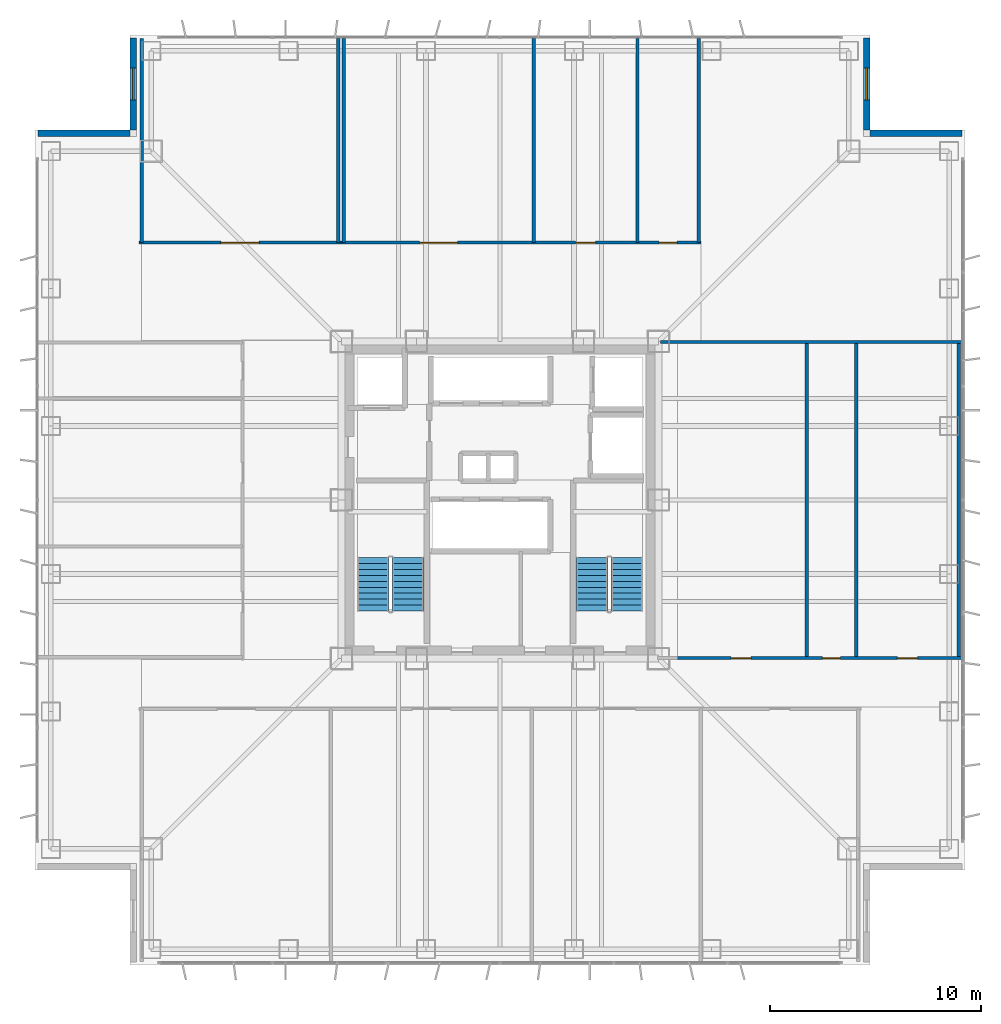
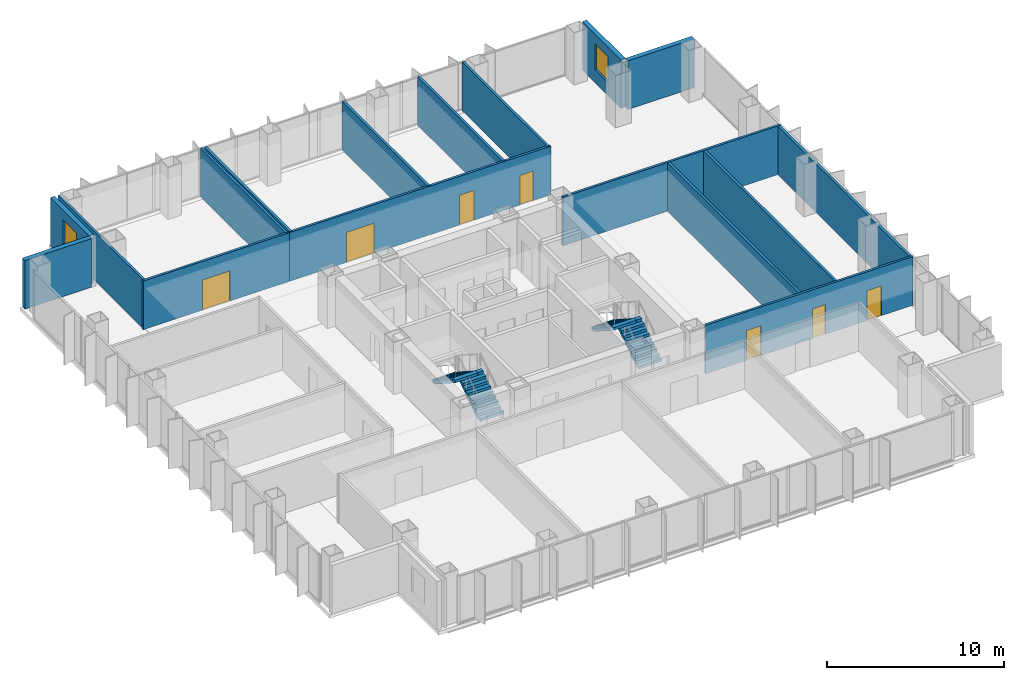
# One storey, part 11 of 14: 17 walls, 7 doors, 4 stair flights, 2 windows, 9 openings, 2 elements without a shape of their own.
"""IFC4 building model written with IfcOpenShell, lengths in metres."""

from ifc_helpers import new_model, si_unit, direction, frame, frame_2d, origin, place, context, subcontext, project, spatial, polyline, rectangle, outline, extrude, material, layer, layer_set, type_object, element, fill, aggregate, save


model = new_model("IFC4")

# Units and contexts
model_context = context("Model", 3, precision=1e-05, world=origin(), true_north=direction((0.0, 1.0)))
body_context = subcontext(model_context, "Body", "Model", "MODEL_VIEW")
ifc_project = project(units=[si_unit("LENGTHUNIT", "METRE"), si_unit("AREAUNIT", "SQUARE_METRE"), si_unit("VOLUMEUNIT", "CUBIC_METRE"), si_unit("PLANEANGLEUNIT", "RADIAN"), si_unit("MASSUNIT", "GRAM", prefix="KILO")], contexts=[model_context])

# Site, building, storey
site_placement = place(None, origin())
site = spatial("IfcSite", under=ifc_project, at=site_placement, CompositionType="ELEMENT")
building_placement = place(site_placement, origin())
building = spatial("IfcBuilding", under=site, at=building_placement, Name="Trevonay Congress Spire", CompositionType="ELEMENT")
storey_placement = place(building_placement, frame((0.0, 0.0, 137.199951171875)))
storey = spatial("IfcBuildingStorey", under=building, at=storey_placement, Name="L35", CompositionType="ELEMENT", Elevation=137.199951171875)

# Wall, opening, door
ifc_material_1 = material(Name="Concrete C40/50", Category="concrete")
ifc_layer_1 = layer(ifc_material_1, 0.14990234375, Name="Concrete C40/50")
ifc_layer_set_1 = layer_set([ifc_layer_1], Name="Concrete C40/50")
wall_type_1 = type_object("IfcWallType", Name="WAL-CORR-150", PredefinedType="PARTITIONING", material=ifc_layer_set_1)
wall_1_placement = place(storey_placement, frame((-17.070068359375, 12.179931640625, 0.0), z_axis=(0.0, 0.0, 1.0), x_axis=(1.0, 0.0, 0.0)))
wall_1 = element("IfcWall", 1, at=wall_1_placement, inside=storey, type_object=wall_type_1, Name="L35 interior wall WP-L35NW-COR", PredefinedType="PARTITIONING", context=body_context, shape_type="SweptSolid", body=[
    extrude(rectangle(XDim=9.5400390625, YDim=0.14990234375, at=frame_2d((4.77001953125, 0.0))), origin(), (0.0, 0.0, 1.0), 3.360107421875),
])
opening_1_placement = place(wall_1_placement, frame((3.8701171875, 0.0, 0.0)))
opening_1 = element("IfcOpeningElement", 2, at=opening_1_placement, cuts=wall_1, Name="Opening D09", PredefinedType="OPENING", context=body_context, shape_type="SweptSolid", body=[
    extrude(rectangle(XDim=1.800048828125, YDim=2.080078125, at=frame_2d((0.89990234375, 1.0400390625))), frame((0.0, 0.0849609375, 0.0), z_axis=(0.0, -1.0, 0.0), x_axis=(1.0, 0.0, 0.0)), (0.0, 0.0, 1.0), 0.169921875),
])
ifc_material_2 = material(Name="Pale Anodised Aluminium EN AW-6063-T6", Category="aluminium")
door_type_1 = type_object("IfcDoorType", Name="DOR-CONF-DBL", OperationType="DOUBLE_DOOR_SINGLE_SWING", PredefinedType="DOOR", material=ifc_material_2)
door_1_placement = place(opening_1_placement, origin())
door_1 = element("IfcDoor", 3, at=door_1_placement, inside=storey, type_object=door_type_1, Name="L35 Digital Media Study Lounge Door", OperationType="DOUBLE_DOOR_SINGLE_SWING", OverallHeight=2.080078125, OverallWidth=1.800048828125, PredefinedType="DOOR", context=body_context, shape_type="SweptSolid", body=[
    extrude(rectangle(XDim=1.800048828125, YDim=2.080078125, at=frame_2d((0.89990234375, 1.0400390625))), frame((0.0, 0.02490234375, 0.0), z_axis=(0.0, -1.0, 0.0), x_axis=(1.0, 0.0, 0.0)), (0.0, 0.0, 1.0), 0.050048828125),
])
fill(opening_1, door_1)

# Wall, openings, doors
wall_2_placement = place(storey_placement, frame((-7.52001953125, 12.179931640625, 0.0), z_axis=(0.0, 0.0, 1.0), x_axis=(1.0, 0.0, 0.0)))
wall_2 = element("IfcWall", 4, at=wall_2_placement, inside=storey, type_object=wall_type_1, Name="L35 interior wall WP-L35NE-COR", PredefinedType="PARTITIONING", context=body_context, shape_type="SweptSolid", body=[
    extrude(rectangle(XDim=17.0400390625, YDim=0.14990234375, at=frame_2d((8.52001953125, 0.0))), origin(), (0.0, 0.0, 1.0), 3.360107421875),
])
opening_2_placement = place(wall_2_placement, frame((3.719970703125, 0.0, 0.0)))
opening_2 = element("IfcOpeningElement", 5, at=opening_2_placement, cuts=wall_2, Name="Opening D09", PredefinedType="OPENING", context=body_context, shape_type="SweptSolid", body=[
    extrude(rectangle(XDim=1.800048828125, YDim=2.080078125, at=frame_2d((0.89990234375, 1.0400390625))), frame((0.0, 0.0849609375, 0.0), z_axis=(0.0, -1.0, 0.0), x_axis=(1.0, 0.0, 0.0)), (0.0, 0.0, 1.0), 0.169921875),
])
opening_3_placement = place(wall_2_placement, frame((11.094970703125, 0.0, 0.0)))
opening_3 = element("IfcOpeningElement", 6, at=opening_3_placement, cuts=wall_2, Name="Opening D07", PredefinedType="OPENING", context=body_context, shape_type="SweptSolid", body=[
    extrude(rectangle(XDim=0.949951171875, YDim=2.06005859375, at=frame_2d((0.47509765625, 1.030029296875))), frame((0.0, 0.0849609375, 0.0), z_axis=(0.0, -1.0, 0.0), x_axis=(1.0, 0.0, 0.0)), (0.0, 0.0, 1.0), 0.169921875),
])
opening_4_placement = place(wall_2_placement, frame((15.044921875, 0.0, 0.0)))
opening_4 = element("IfcOpeningElement", 7, at=opening_4_placement, cuts=wall_2, Name="Opening D10", PredefinedType="OPENING", context=body_context, shape_type="SweptSolid", body=[
    extrude(rectangle(XDim=0.85009765625, YDim=2.050048828125, at=frame_2d((0.425048828125, 1.02490234375))), frame((0.0, 0.0849609375, 0.0), z_axis=(0.0, -1.0, 0.0), x_axis=(1.0, 0.0, 0.0)), (0.0, 0.0, 1.0), 0.169921875),
])
door_2_placement = place(opening_2_placement, origin())
door_2 = element("IfcDoor", 8, at=door_2_placement, inside=storey, type_object=door_type_1, Name="L35 Archive Reading Salon Door", OperationType="DOUBLE_DOOR_SINGLE_SWING", OverallHeight=2.080078125, OverallWidth=1.800048828125, PredefinedType="DOOR", context=body_context, shape_type="SweptSolid", body=[
    extrude(rectangle(XDim=1.800048828125, YDim=2.080078125, at=frame_2d((0.89990234375, 1.0400390625))), frame((0.0, 0.02490234375, 0.0), z_axis=(0.0, -1.0, 0.0), x_axis=(1.0, 0.0, 0.0)), (0.0, 0.0, 1.0), 0.050048828125),
])
fill(opening_2, door_2)
door_type_2 = type_object("IfcDoorType", Name="DOR-OFFICE-95", OperationType="NOTDEFINED", PredefinedType="DOOR", material=ifc_material_2)
door_3_placement = place(opening_3_placement, origin())
door_3 = element("IfcDoor", 9, at=door_3_placement, inside=storey, type_object=door_type_2, Name="L35 Academic Pantry Door", OperationType="SINGLE_SWING_RIGHT", OverallHeight=2.06005859375, OverallWidth=0.949951171875, PredefinedType="DOOR", context=body_context, shape_type="SweptSolid", body=[
    extrude(rectangle(XDim=0.949951171875, YDim=2.06005859375, at=frame_2d((0.47509765625, 1.030029296875))), frame((0.0, 0.02490234375, 0.0), z_axis=(0.0, -1.0, 0.0), x_axis=(1.0, 0.0, 0.0)), (0.0, 0.0, 1.0), 0.050048828125),
])
fill(opening_3, door_3)
door_type_3 = type_object("IfcDoorType", Name="DOR-WC-85", OperationType="NOTDEFINED", PredefinedType="DOOR", material=ifc_material_2)
door_4_placement = place(opening_4_placement, origin())
door_4 = element("IfcDoor", 10, at=door_4_placement, inside=storey, type_object=door_type_3, Name="L35 Female Restroom WC Door", OperationType="SINGLE_SWING_LEFT", OverallHeight=2.050048828125, OverallWidth=0.85009765625, PredefinedType="DOOR", context=body_context, shape_type="SweptSolid", body=[
    extrude(rectangle(XDim=0.85009765625, YDim=2.050048828125, at=frame_2d((0.425048828125, 1.02490234375))), frame((0.0, 0.02490234375, 0.0), z_axis=(0.0, -1.0, 0.0), x_axis=(1.0, 0.0, 0.0)), (0.0, 0.0, 1.0), 0.050048828125),
])
fill(opening_4, door_4)

wall_3_placement = place(storey_placement, frame((8.280029296875, -7.47998046875, 0.0), z_axis=(0.0, 0.0, 1.0), x_axis=(1.0, 0.0, 0.0)))
wall_3 = element("IfcWall", 11, at=wall_3_placement, inside=storey, type_object=wall_type_1, Name="L35 interior wall WP-L35E-COR", PredefinedType="PARTITIONING", context=body_context, shape_type="SweptSolid", body=[
    extrude(rectangle(XDim=13.5400390625, YDim=0.14990234375, at=frame_2d((6.77001953125, 0.0))), origin(), (0.0, 0.0, 1.0), 3.360107421875),
])
opening_5_placement = place(wall_3_placement, frame((2.655029296875, 0.0, 0.0)))
opening_5 = element("IfcOpeningElement", 12, at=opening_5_placement, cuts=wall_3, Name="Opening D07", PredefinedType="OPENING", context=body_context, shape_type="SweptSolid", body=[
    extrude(rectangle(XDim=0.949951171875, YDim=2.06005859375, at=frame_2d((0.47509765625, 1.030029296875))), frame((0.0, 0.0849609375, 0.0), z_axis=(0.0, -1.0, 0.0), x_axis=(1.0, 0.0, 0.0)), (0.0, 0.0, 1.0), 0.169921875),
])
opening_6_placement = place(wall_3_placement, frame((6.969970703125, 0.0, 0.0)))
opening_6 = element("IfcOpeningElement", 13, at=opening_6_placement, cuts=wall_3, Name="Opening D10", PredefinedType="OPENING", context=body_context, shape_type="SweptSolid", body=[
    extrude(rectangle(XDim=0.85009765625, YDim=2.050048828125, at=frame_2d((0.425048828125, 1.02490234375))), frame((0.0, 0.0849609375, 0.0), z_axis=(0.0, -1.0, 0.0), x_axis=(1.0, 0.0, 0.0)), (0.0, 0.0, 1.0), 0.169921875),
])
opening_7_placement = place(wall_3_placement, frame((10.52001953125, 0.0, 0.0)))
opening_7 = element("IfcOpeningElement", 14, at=opening_7_placement, cuts=wall_3, Name="Opening D07", PredefinedType="OPENING", context=body_context, shape_type="SweptSolid", body=[
    extrude(rectangle(XDim=0.949951171875, YDim=2.06005859375, at=frame_2d((0.47509765625, 1.030029296875))), frame((0.0, 0.0849609375, 0.0), z_axis=(0.0, -1.0, 0.0), x_axis=(1.0, 0.0, 0.0)), (0.0, 0.0, 1.0), 0.169921875),
])
door_5_placement = place(opening_5_placement, origin())
door_5 = element("IfcDoor", 15, at=door_5_placement, inside=storey, type_object=door_type_2, Name="L35 Curriculum Office East Door", OperationType="SINGLE_SWING_RIGHT", OverallHeight=2.06005859375, OverallWidth=0.949951171875, PredefinedType="DOOR", context=body_context, shape_type="SweptSolid", body=[
    extrude(rectangle(XDim=0.949951171875, YDim=2.06005859375, at=frame_2d((0.47509765625, 1.030029296875))), frame((0.0, 0.02490234375, 0.0), z_axis=(0.0, -1.0, 0.0), x_axis=(1.0, 0.0, 0.0)), (0.0, 0.0, 1.0), 0.050048828125),
])
fill(opening_5, door_5)
door_6_placement = place(opening_7_placement, origin())
door_6 = element("IfcDoor", 16, at=door_6_placement, inside=storey, type_object=door_type_2, Name="L35 Floor Supplies and Copy Room Door", OperationType="SINGLE_SWING_RIGHT", OverallHeight=2.06005859375, OverallWidth=0.949951171875, PredefinedType="DOOR", context=body_context, shape_type="SweptSolid", body=[
    extrude(rectangle(XDim=0.949951171875, YDim=2.06005859375, at=frame_2d((0.47509765625, 1.030029296875))), frame((0.0, 0.02490234375, 0.0), z_axis=(0.0, -1.0, 0.0), x_axis=(1.0, 0.0, 0.0)), (0.0, 0.0, 1.0), 0.050048828125),
])
fill(opening_7, door_6)
door_7_placement = place(opening_6_placement, origin())
door_7 = element("IfcDoor", 17, at=door_7_placement, inside=storey, type_object=door_type_3, Name="L35 Male Restroom WC Door", OperationType="SINGLE_SWING_LEFT", OverallHeight=2.050048828125, OverallWidth=0.85009765625, PredefinedType="DOOR", context=body_context, shape_type="SweptSolid", body=[
    extrude(rectangle(XDim=0.85009765625, YDim=2.050048828125, at=frame_2d((0.425048828125, 1.02490234375))), frame((0.0, 0.02490234375, 0.0), z_axis=(0.0, -1.0, 0.0), x_axis=(1.0, 0.0, 0.0)), (0.0, 0.0, 1.0), 0.050048828125),
])
fill(opening_6, door_7)

# Wall, opening, window
ifc_material_3 = material(Name="Precast concrete C40/50", Category="concrete")
ifc_layer_2 = layer(ifc_material_3, 0.300048828125, Name="Precast concrete C40/50")
ifc_layer_set_2 = layer_set([ifc_layer_2], Name="Precast concrete C40/50")
wall_type_2 = type_object("IfcWallType", Name="WAL-EXT-PRECAST-300", PredefinedType="SOLIDWALL", material=ifc_layer_set_2)
wall_4_placement = place(storey_placement, frame((17.35009765625, 21.85009765625, 0.0), z_axis=(0.0, 0.0, 1.0), x_axis=(0.0, -1.0, 0.0)))
wall_4 = element("IfcWall", 18, at=wall_4_placement, inside=storey, type_object=wall_type_2, Name="L35 NE re-entrant notch exterior wall 1", PredefinedType="SOLIDWALL", context=body_context, shape_type="SweptSolid", body=[
    extrude(rectangle(XDim=4.35009765625, YDim=0.300048828125, at=frame_2d((2.175048828125, 0.0))), origin(), (0.0, 0.0, 1.0), 3.360107421875),
])
opening_8_placement = place(wall_4_placement, frame((1.425048828125, 0.0, 0.89990234375)))
opening_8 = element("IfcOpeningElement", 19, at=opening_8_placement, cuts=wall_4, Name="Opening WN03", PredefinedType="OPENING", context=body_context, shape_type="SweptSolid", body=[
    extrude(rectangle(XDim=1.5, YDim=1.800048828125, at=frame_2d((0.75, 0.89990234375))), frame((0.0, 0.16015625, 0.0), z_axis=(0.0, -1.0, 0.0), x_axis=(1.0, 0.0, 0.0)), (0.0, 0.0, 1.0), 0.320068359375),
])
ifc_material_4 = material(Name="Insulated Low-E Vision Glass IGU", Category="glass")
window_type = type_object("IfcWindowType", Name="WIN-NOTCH-150X180", PartitioningType="SINGLE_PANEL", PredefinedType="WINDOW", material=ifc_material_4)
window_1_placement = place(opening_8_placement, origin())
window_1 = element("IfcWindow", 20, at=window_1_placement, inside=storey, type_object=window_type, Name="L35 NE corner notch window", OverallHeight=1.800048828125, OverallWidth=1.5, PartitioningType="SINGLE_PANEL", PredefinedType="WINDOW", context=body_context, shape_type="SweptSolid", body=[
    extrude(rectangle(XDim=1.5, YDim=1.800048828125, at=frame_2d((0.75, 0.89990234375))), frame((0.0, 0.030029296875, 0.0), z_axis=(0.0, -1.0, 0.0), x_axis=(1.0, 0.0, 0.0)), (0.0, 0.0, 1.0), 0.06005859375),
])
fill(opening_8, window_1)

# Wall
wall_5_placement = place(storey_placement, frame((21.85009765625, 17.35009765625, 0.0), z_axis=(0.0, 0.0, 1.0), x_axis=(-1.0, 0.0, 0.0)))
element("IfcWall", 21, at=wall_5_placement, inside=storey, type_object=wall_type_2, Name="L35 NE re-entrant notch exterior wall 2", PredefinedType="SOLIDWALL", context=body_context, shape_type="SweptSolid", body=[
    extrude(rectangle(XDim=4.35009765625, YDim=0.300048828125, at=frame_2d((2.175048828125, 0.0))), origin(), (0.0, 0.0, 1.0), 3.360107421875),
])

# Wall, opening, window
wall_6_placement = place(storey_placement, frame((-17.35009765625, 21.85009765625, 0.0), z_axis=(0.0, 0.0, 1.0), x_axis=(0.0, -1.0, 0.0)))
wall_6 = element("IfcWall", 22, at=wall_6_placement, inside=storey, type_object=wall_type_2, Name="L35 NW re-entrant notch exterior wall 1", PredefinedType="SOLIDWALL", context=body_context, shape_type="SweptSolid", body=[
    extrude(rectangle(XDim=4.35009765625, YDim=0.300048828125, at=frame_2d((2.175048828125, 0.0))), origin(), (0.0, 0.0, 1.0), 3.360107421875),
])
opening_9_placement = place(wall_6_placement, frame((1.425048828125, 0.0, 0.89990234375)))
opening_9 = element("IfcOpeningElement", 23, at=opening_9_placement, cuts=wall_6, Name="Opening WN03", PredefinedType="OPENING", context=body_context, shape_type="SweptSolid", body=[
    extrude(rectangle(XDim=1.5, YDim=1.800048828125, at=frame_2d((0.75, 0.89990234375))), frame((0.0, 0.16015625, 0.0), z_axis=(0.0, -1.0, 0.0), x_axis=(1.0, 0.0, 0.0)), (0.0, 0.0, 1.0), 0.320068359375),
])
window_2_placement = place(opening_9_placement, origin())
window_2 = element("IfcWindow", 24, at=window_2_placement, inside=storey, type_object=window_type, Name="L35 NW corner notch window", OverallHeight=1.800048828125, OverallWidth=1.5, PartitioningType="SINGLE_PANEL", PredefinedType="WINDOW", context=body_context, shape_type="SweptSolid", body=[
    extrude(rectangle(XDim=1.5, YDim=1.800048828125, at=frame_2d((0.75, 0.89990234375))), frame((0.0, 0.030029296875, 0.0), z_axis=(0.0, -1.0, 0.0), x_axis=(1.0, 0.0, 0.0)), (0.0, 0.0, 1.0), 0.06005859375),
])
fill(opening_9, window_2)

# Walls
wall_7_placement = place(storey_placement, frame((-21.85009765625, 17.35009765625, 0.0), z_axis=(0.0, 0.0, 1.0), x_axis=(1.0, 0.0, 0.0)))
element("IfcWall", 25, at=wall_7_placement, inside=storey, type_object=wall_type_2, Name="L35 NW re-entrant notch exterior wall 2", PredefinedType="SOLIDWALL", context=body_context, shape_type="SweptSolid", body=[
    extrude(rectangle(XDim=4.35009765625, YDim=0.300048828125, at=frame_2d((2.175048828125, 0.0))), origin(), (0.0, 0.0, 1.0), 3.360107421875),
])
ifc_layer_3 = layer(ifc_material_1, 0.14990234375, Name="Concrete C40/50")
ifc_layer_set_3 = layer_set([ifc_layer_3], Name="Concrete C40/50")
wall_type_3 = type_object("IfcWallType", Name="WAL-PART-150", PredefinedType="PARTITIONING", material=ifc_layer_set_3)
for number, where, z_axis, x_axis, name in (
    (26, (-16.949951171875, 12.179931640625, 0.0), (0.0, 0.0, 1.0), (0.0, 1.0, 0.0), "L35 interior wall WP-L35NW-DIV1"),
    (27, (-7.64990234375, 12.179931640625, 0.0), (0.0, 0.0, 1.0), (0.0, 1.0, 0.0), "L35 interior wall WP-L35NW-DIV2"),
    (28, (6.5, 12.179931640625, 0.0), (0.0, 0.0, 1.0), (0.0, 1.0, 0.0), "L35 interior wall WP-L35NE-DIV3"),
    (29, (9.39990234375, 12.179931640625, 0.0), (0.0, 0.0, 1.0), (0.0, 1.0, 0.0), "L35 interior wall WP-L35NE-DIV4"),
):
    element("IfcWall", number, at=place(storey_placement, frame(where, z_axis=z_axis, x_axis=x_axis)), inside=storey, type_object=wall_type_3, Name=name, PredefinedType="PARTITIONING", context=body_context, shape_type="SweptSolid", body=[
        extrude(rectangle(XDim=9.64013671875, YDim=0.14990234375, at=frame_2d((4.820068359375, 0.0))), origin(), (0.0, 0.0, 1.0), 3.360107421875),
    ])
wall_8_placement = place(storey_placement, frame((7.60009765625, 7.47998046875, 0.0), z_axis=(0.0, 0.0, 1.0), x_axis=(1.0, 0.0, 0.0)))
element("IfcWall", 30, at=wall_8_placement, inside=storey, type_object=wall_type_3, Name="L35 interior wall WP-L35E-NCLS", PredefinedType="PARTITIONING", context=body_context, shape_type="SweptSolid", body=[
    extrude(rectangle(XDim=14.219970703125, YDim=0.14990234375, at=frame_2d((7.10986328125, 0.0))), origin(), (0.0, 0.0, 1.0), 3.360107421875),
])
ifc_layer_4 = layer(ifc_material_1, 0.1650390625, Name="Concrete C40/50")
ifc_layer_set_4 = layer_set([ifc_layer_4], Name="Concrete C40/50")
wall_type_4 = type_object("IfcWallType", Name="WAL-WET-165", PredefinedType="PLUMBINGWALL", material=ifc_layer_set_4)
for number, where, z_axis, x_axis, name in (
    (31, (-7.39990234375, 12.179931640625, 0.0), (0.0, 0.0, 1.0), (0.0, 1.0, 0.0), "L35 interior wall WP-L35NE-DIV1"),
    (32, (1.60009765625, 12.179931640625, 0.0), (0.0, 0.0, 1.0), (0.0, 1.0, 0.0), "L35 interior wall WP-L35NE-DIV2"),
):
    element("IfcWall", number, at=place(storey_placement, frame(where, z_axis=z_axis, x_axis=x_axis)), inside=storey, type_object=wall_type_4, Name=name, PredefinedType="PLUMBINGWALL", context=body_context, shape_type="SweptSolid", body=[
        extrude(rectangle(XDim=9.64013671875, YDim=0.1650390625, at=frame_2d((4.820068359375, 0.0))), origin(), (0.0, 0.0, 1.0), 3.360107421875),
    ])
for number, where, z_axis, x_axis, name in (
    (33, (16.85009765625, -7.47998046875, 0.0), (0.0, 0.0, 1.0), (0.0, 1.0, 0.0), "L35 interior wall WP-L35E-WCS2"),
    (34, (14.5, -7.47998046875, 0.0), (0.0, 0.0, 1.0), (0.0, 1.0, 0.0), "L35 interior wall WP-L35E-DIV1"),
    (35, (21.699951171875, -7.47998046875, 0.0), (0.0, 0.0, 1.0), (0.0, 1.0, 0.0), "L35 interior wall WP-L35E-DIV2"),
):
    element("IfcWall", number, at=place(storey_placement, frame(where, z_axis=z_axis, x_axis=x_axis)), inside=storey, type_object=wall_type_4, Name=name, PredefinedType="PLUMBINGWALL", context=body_context, shape_type="SweptSolid", body=[
        extrude(rectangle(XDim=14.8798828125, YDim=0.1650390625, at=frame_2d((7.43994140625, 0.0))), origin(), (0.0, 0.0, 1.0), 3.360107421875),
    ])

# Stair, stair flights
stair_type_1 = type_object("IfcStairType", Name="STR-ST-1", PredefinedType="HALF_TURN_STAIR", material=ifc_material_1)
stair_1_placement = place(storey_placement, origin())
stair_1 = element("IfcStair", 36, at=stair_1_placement, inside=storey, type_object=stair_type_1, Name="L35 Protected Exit Stair ST-1", PredefinedType="HALF_TURN_STAIR")
stair_flight_type_1 = type_object("IfcStairFlightType", Name="SFL-ST-1", PredefinedType="STRAIGHT", material=ifc_material_1)
stair_flight_1_placement = place(storey_placement, frame((-4.35009765625, -5.25, 0.0), z_axis=(0.0, 0.0, 1.0), x_axis=(0.0, 1.0, 0.0)))
stair_flight_1 = element("IfcStairFlight", 37, at=stair_flight_1_placement, type_object=stair_flight_type_1, Name="ST-1 flight 1", NumberOfRisers=10, NumberOfTreads=9, PredefinedType="STRAIGHT", RiserHeight=0.18, TreadLength=0.28, context=body_context, shape_type="SweptSolid", body=[
    extrude(outline(polyline([(0.0, 0.0), (0.0, 0.179931640625), (0.280029296875, 0.179931640625), (0.280029296875, 0.360107421875), (0.56005859375, 0.360107421875), (0.56005859375, 0.5400390625), (0.840087890625, 0.5400390625), (0.840087890625, 0.719970703125), (1.1201171875, 0.719970703125), (1.1201171875, 0.89990234375), (1.39990234375, 0.89990234375), (1.39990234375, 1.080078125), (1.679931640625, 1.080078125), (1.679931640625, 1.260009765625), (1.9599609375, 1.260009765625), (1.9599609375, 1.43994140625), (2.239990234375, 1.43994140625), (2.239990234375, 1.6201171875), (2.52001953125, 1.6201171875), (2.52001953125, 1.800048828125), (2.52001953125, 1.44189453125), (0.277099609375, 0.0), (0.0, 0.0)])), frame((0.0, 0.75, 0.0), z_axis=(0.0, -1.0, 0.0), x_axis=(1.0, 0.0, 0.0)), (0.0, 0.0, 1.0), 1.5),
])
stair_flight_2_placement = place(storey_placement, frame((-6.0, -2.72998046875, 1.800048828125), z_axis=(0.0, 0.0, 1.0), x_axis=(0.0, -1.0, 0.0)))
stair_flight_2 = element("IfcStairFlight", 38, at=stair_flight_2_placement, type_object=stair_flight_type_1, Name="ST-1 flight 2", NumberOfRisers=10, NumberOfTreads=9, PredefinedType="STRAIGHT", RiserHeight=0.18, TreadLength=0.28, context=body_context, shape_type="SweptSolid", body=[
    extrude(outline(polyline([(0.0, 0.0), (0.0, 0.179931640625), (0.280029296875, 0.179931640625), (0.280029296875, 0.360107421875), (0.56005859375, 0.360107421875), (0.56005859375, 0.5400390625), (0.840087890625, 0.5400390625), (0.840087890625, 0.719970703125), (1.1201171875, 0.719970703125), (1.1201171875, 0.89990234375), (1.39990234375, 0.89990234375), (1.39990234375, 1.080078125), (1.679931640625, 1.080078125), (1.679931640625, 1.260009765625), (1.9599609375, 1.260009765625), (1.9599609375, 1.43994140625), (2.239990234375, 1.43994140625), (2.239990234375, 1.6201171875), (2.52001953125, 1.6201171875), (2.52001953125, 1.800048828125), (2.52001953125, 1.44189453125), (0.277099609375, 0.0), (0.0, 0.0)])), frame((0.0, 0.75, 0.0), z_axis=(0.0, -1.0, 0.0), x_axis=(1.0, 0.0, 0.0)), (0.0, 0.0, 1.0), 1.5),
])
aggregate(stair_1, [stair_flight_1, stair_flight_2])

stair_type_2 = type_object("IfcStairType", Name="STR-ST-2", PredefinedType="HALF_TURN_STAIR", material=ifc_material_1)
stair_2_placement = place(storey_placement, origin())
stair_2 = element("IfcStair", 39, at=stair_2_placement, inside=storey, type_object=stair_type_2, Name="L35 Protected Exit Stair ST-2", PredefinedType="HALF_TURN_STAIR")
stair_flight_type_2 = type_object("IfcStairFlightType", Name="SFL-ST-2", PredefinedType="STRAIGHT", material=ifc_material_1)
stair_flight_3_placement = place(storey_placement, frame((6.0, -5.25, 0.0), z_axis=(0.0, 0.0, 1.0), x_axis=(0.0, 1.0, 0.0)))
stair_flight_3 = element("IfcStairFlight", 40, at=stair_flight_3_placement, type_object=stair_flight_type_2, Name="ST-2 flight 1", NumberOfRisers=10, NumberOfTreads=9, PredefinedType="STRAIGHT", RiserHeight=0.18, TreadLength=0.28, context=body_context, shape_type="SweptSolid", body=[
    extrude(outline(polyline([(0.0, 0.0), (0.0, 0.179931640625), (0.280029296875, 0.179931640625), (0.280029296875, 0.360107421875), (0.56005859375, 0.360107421875), (0.56005859375, 0.5400390625), (0.840087890625, 0.5400390625), (0.840087890625, 0.719970703125), (1.1201171875, 0.719970703125), (1.1201171875, 0.89990234375), (1.39990234375, 0.89990234375), (1.39990234375, 1.080078125), (1.679931640625, 1.080078125), (1.679931640625, 1.260009765625), (1.9599609375, 1.260009765625), (1.9599609375, 1.43994140625), (2.239990234375, 1.43994140625), (2.239990234375, 1.6201171875), (2.52001953125, 1.6201171875), (2.52001953125, 1.800048828125), (2.52001953125, 1.44189453125), (0.277099609375, 0.0), (0.0, 0.0)])), frame((0.0, 0.75, 0.0), z_axis=(0.0, -1.0, 0.0), x_axis=(1.0, 0.0, 0.0)), (0.0, 0.0, 1.0), 1.5),
])
stair_flight_4_placement = place(storey_placement, frame((4.35009765625, -2.72998046875, 1.800048828125), z_axis=(0.0, 0.0, 1.0), x_axis=(0.0, -1.0, 0.0)))
stair_flight_4 = element("IfcStairFlight", 41, at=stair_flight_4_placement, type_object=stair_flight_type_2, Name="ST-2 flight 2", NumberOfRisers=10, NumberOfTreads=9, PredefinedType="STRAIGHT", RiserHeight=0.18, TreadLength=0.28, context=body_context, shape_type="SweptSolid", body=[
    extrude(outline(polyline([(0.0, 0.0), (0.0, 0.179931640625), (0.280029296875, 0.179931640625), (0.280029296875, 0.360107421875), (0.56005859375, 0.360107421875), (0.56005859375, 0.5400390625), (0.840087890625, 0.5400390625), (0.840087890625, 0.719970703125), (1.1201171875, 0.719970703125), (1.1201171875, 0.89990234375), (1.39990234375, 0.89990234375), (1.39990234375, 1.080078125), (1.679931640625, 1.080078125), (1.679931640625, 1.260009765625), (1.9599609375, 1.260009765625), (1.9599609375, 1.43994140625), (2.239990234375, 1.43994140625), (2.239990234375, 1.6201171875), (2.52001953125, 1.6201171875), (2.52001953125, 1.800048828125), (2.52001953125, 1.44189453125), (0.277099609375, 0.0), (0.0, 0.0)])), frame((0.0, 0.75, 0.0), z_axis=(0.0, -1.0, 0.0), x_axis=(1.0, 0.0, 0.0)), (0.0, 0.0, 1.0), 1.5),
])
aggregate(stair_2, [stair_flight_3, stair_flight_4])

save(model, "model.ifc")
